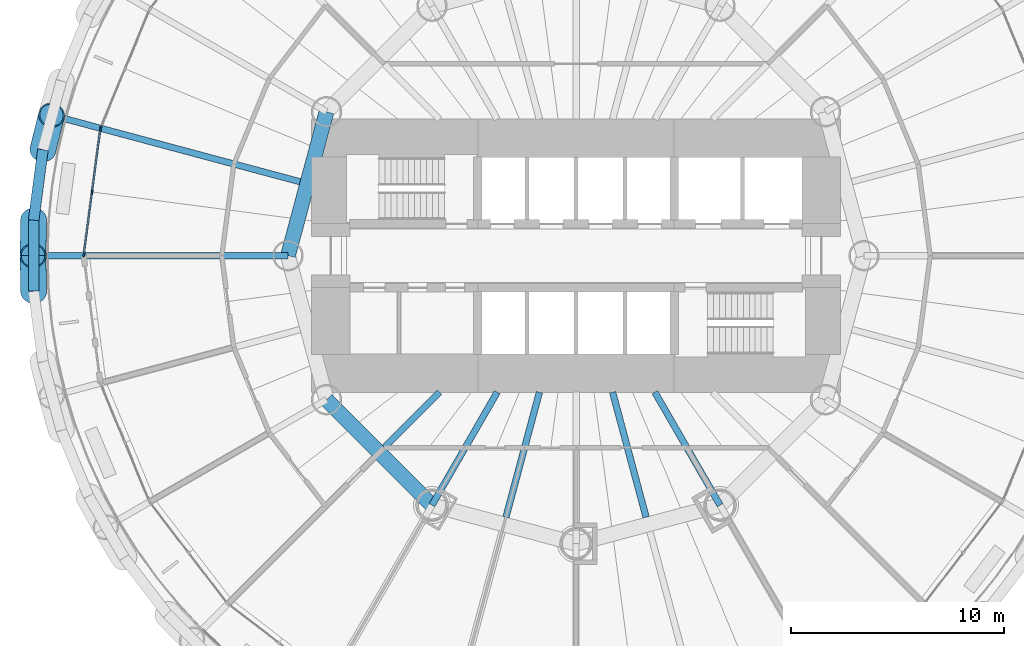
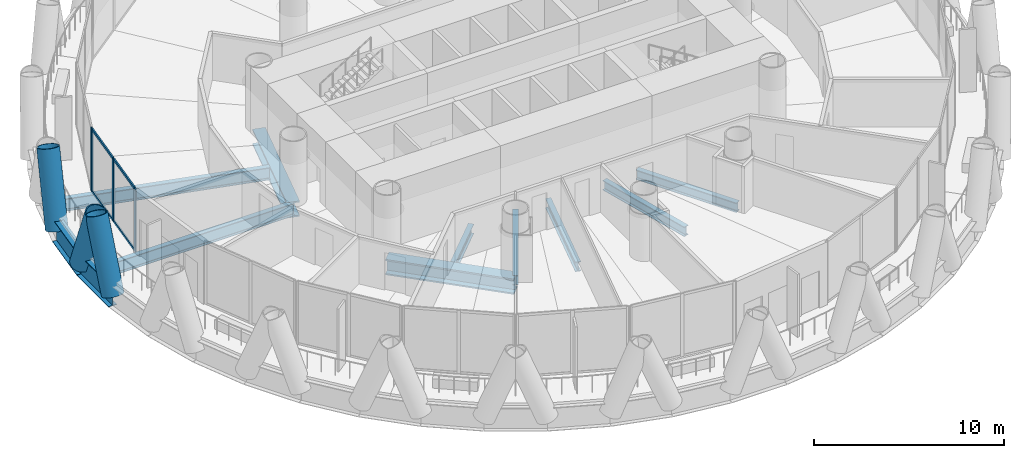
# One storey, part 3 of 16: 11 beams, 11 members, 2 elements without a shape of their own.
"""IFC4 building model written with IfcOpenShell, lengths in metres."""

from ifc_helpers import new_model, si_unit, direction, frame, origin, origin_2d, place, context, subcontext, project, spatial, rectangle, hollow_circle, i_section, extrude, material, material_profile, profile_set, type_object, element, aggregate, save


model = new_model("IFC4")

# Units and contexts
model_context = context("Model", 3, precision=1e-05, world=origin(), true_north=direction((0.0, 1.0)))
body_context = subcontext(model_context, "Body", "Model", "MODEL_VIEW")
ifc_project = project(units=[si_unit("LENGTHUNIT", "METRE"), si_unit("AREAUNIT", "SQUARE_METRE"), si_unit("VOLUMEUNIT", "CUBIC_METRE"), si_unit("PLANEANGLEUNIT", "RADIAN"), si_unit("MASSUNIT", "GRAM", prefix="KILO")], contexts=[model_context])

# Site, building, storey
site_placement = place(None, origin())
site = spatial("IfcSite", under=ifc_project, at=site_placement, CompositionType="ELEMENT")
building_placement = place(site_placement, origin())
building = spatial("IfcBuilding", under=site, at=building_placement, Name="Qaws Media Tower", CompositionType="ELEMENT")
storey_placement = place(building_placement, frame((0.0, 0.0, 89.0)))
storey = spatial("IfcBuildingStorey", under=building, at=storey_placement, Name="L19", CompositionType="ELEMENT", Elevation=89.0)

# Curtain wall, member
ifc_material_1 = material(Name="Aluminium and clear glass", Category="aluminium")
curtain_wall_type = type_object("IfcCurtainWallType", Name="Unitised curtain wall CW-A", PredefinedType="NOTDEFINED", material=ifc_material_1)
curtain_wall_1_placement = place(storey_placement, origin())
curtain_wall_1 = element("IfcCurtainWall", 1, at=curtain_wall_1_placement, inside=storey, type_object=curtain_wall_type, Name="CWA curtain wall L19-11", PredefinedType="NOTDEFINED")
ifc_material_2 = material(Name="Aluminium mullion", Category="aluminium")
ifc_material_profile_1 = material_profile(ifc_material_2, rectangle(XDim=0.080078125, YDim=0.199951171875, at=origin_2d()), Name="80x200")
ifc_profile_set_1 = profile_set([ifc_material_profile_1], Name="Aluminium mullion")
member_type_1 = type_object("IfcMemberType", Name="Curtain wall mullion 80x200", PredefinedType="MULLION", material=ifc_profile_set_1)
member_1_placement = place(storey_placement, frame((37.7265625, 56.00927734375, 0.0), z_axis=(0.0, 0.0, 1.0), x_axis=(0.923879558466, -0.382683369704, 0.0)))
member_1 = element("IfcMember", 2, at=member_1_placement, type_object=member_type_1, Name="CWA mullion 3", PredefinedType="MULLION", context=body_context, shape_type="SweptSolid", body=[
    extrude(rectangle(XDim=0.080078125, YDim=0.199951171875, at=origin_2d()), origin(), (0.0, 0.0, 1.0), 4.0400390625),
])
aggregate(curtain_wall_1, [member_1])

# Curtain wall, members
curtain_wall_2_placement = place(storey_placement, origin())
curtain_wall_2 = element("IfcCurtainWall", 3, at=curtain_wall_2_placement, inside=storey, type_object=curtain_wall_type, Name="CWA curtain wall L19-12", PredefinedType="NOTDEFINED")
member_2_placement = place(storey_placement, frame((37.7060546875, 55.9326171875, 0.0), z_axis=(0.0, 0.0, 1.0), x_axis=(0.991444850569, -0.130526274293, 0.0)))
member_2 = element("IfcMember", 4, at=member_2_placement, type_object=member_type_1, Name="CWA mullion 1", PredefinedType="MULLION", context=body_context, shape_type="SweptSolid", body=[
    extrude(rectangle(XDim=0.080078125, YDim=0.199951171875, at=origin_2d()), origin(), (0.0, 0.0, 1.0), 4.0400390625),
])
member_3_placement = place(storey_placement, frame((37.318115234375, 52.986083984375, 0.0), z_axis=(0.0, 0.0, 1.0), x_axis=(0.991444850569, -0.130526274293, 0.0)))
member_3 = element("IfcMember", 5, at=member_3_placement, type_object=member_type_1, Name="CWA mullion 2", PredefinedType="MULLION", context=body_context, shape_type="SweptSolid", body=[
    extrude(rectangle(XDim=0.080078125, YDim=0.199951171875, at=origin_2d()), origin(), (0.0, 0.0, 1.0), 4.0400390625),
])
member_4_placement = place(storey_placement, frame((36.93017578125, 50.03955078125, 0.0), z_axis=(0.0, 0.0, 1.0), x_axis=(0.991444850569, -0.130526274293, 0.0)))
member_4 = element("IfcMember", 6, at=member_4_placement, type_object=member_type_1, Name="CWA mullion 3", PredefinedType="MULLION", context=body_context, shape_type="SweptSolid", body=[
    extrude(rectangle(XDim=0.080078125, YDim=0.199951171875, at=origin_2d()), origin(), (0.0, 0.0, 1.0), 4.0400390625),
])
ifc_material_3 = material(Name="Aluminium transom", Category="aluminium")
ifc_material_profile_2 = material_profile(ifc_material_3, rectangle(XDim=0.080078125, YDim=0.159912109375, at=origin_2d()), Name="80x160")
ifc_profile_set_2 = profile_set([ifc_material_profile_2], Name="Aluminium transom")
member_type_2 = type_object("IfcMemberType", Name="Curtain wall transom 80x160", PredefinedType="USERDEFINED", material=ifc_profile_set_2)
member_5_placement = place(storey_placement, frame((37.700927734375, 55.892822265625, 0.0400390625), z_axis=(-0.130609572784, -0.991433880547, 0.0), x_axis=(0.991433880547, -0.130609572784, 0.0)))
member_5 = element("IfcMember", 7, at=member_5_placement, type_object=member_type_2, Name="CWA transom 1.1", ObjectType="TRANSOM", PredefinedType="USERDEFINED", context=body_context, shape_type="SweptSolid", body=[
    extrude(rectangle(XDim=0.080078125, YDim=0.159912109375, at=origin_2d()), origin(), (0.0, 0.0, 1.0), 2.8916015625),
])
member_6_placement = place(storey_placement, frame((37.700927734375, 55.892822265625, 4.0), z_axis=(-0.130609572784, -0.991433880547, 0.0), x_axis=(0.991433880547, -0.130609572784, 0.0)))
member_6 = element("IfcMember", 8, at=member_6_placement, type_object=member_type_2, Name="CWA transom 1.2", ObjectType="TRANSOM", PredefinedType="USERDEFINED", context=body_context, shape_type="SweptSolid", body=[
    extrude(rectangle(XDim=0.080078125, YDim=0.159912109375, at=origin_2d()), origin(), (0.0, 0.0, 1.0), 2.8916015625),
])
member_7_placement = place(storey_placement, frame((37.31298828125, 52.946533203125, 0.0400390625), z_axis=(-0.130515659015, -0.99144624804, 0.0), x_axis=(0.99144624804, -0.130515659015, 0.0)))
member_7 = element("IfcMember", 9, at=member_7_placement, type_object=member_type_2, Name="CWA transom 2.1", ObjectType="TRANSOM", PredefinedType="USERDEFINED", context=body_context, shape_type="SweptSolid", body=[
    extrude(rectangle(XDim=0.080078125, YDim=0.159912109375, at=origin_2d()), origin(), (0.0, 0.0, 1.0), 2.891845703125),
])
member_8_placement = place(storey_placement, frame((37.31298828125, 52.946533203125, 4.0), z_axis=(-0.130515659015, -0.99144624804, 0.0), x_axis=(0.99144624804, -0.130515659015, 0.0)))
member_8 = element("IfcMember", 10, at=member_8_placement, type_object=member_type_2, Name="CWA transom 2.2", ObjectType="TRANSOM", PredefinedType="USERDEFINED", context=body_context, shape_type="SweptSolid", body=[
    extrude(rectangle(XDim=0.080078125, YDim=0.159912109375, at=origin_2d()), origin(), (0.0, 0.0, 1.0), 2.891845703125),
])
aggregate(curtain_wall_2, [member_2, member_3, member_4, member_5, member_6, member_7, member_8])

# Members
ifc_material_4 = material(Name="Steel S460", Category="steel")
ifc_material_profile_3 = material_profile(ifc_material_4, hollow_circle(Radius=0.609619140625, WallThickness=0.06005859375, at=origin_2d()), Name="CHS 1219x60")
ifc_profile_set_3 = profile_set([ifc_material_profile_3], Name="Steel S460")
member_type_3 = type_object("IfcMemberType", Name="Diagrid member CHS 1219x60", PredefinedType="USERDEFINED", material=ifc_profile_set_3)
for number, where, z_axis, x_axis, name in (
    (11, (34.57958984375, 51.666259765625, -0.909912109375), (-0.006537785843, -0.368763540313, 0.929500246741), (0.999842879422, -0.017726152148, 0.0), "DG1 diagrid L19 A12"),
    (12, (35.014404296875, 54.969970703125, -0.909912109375), (0.089152749117, 0.357853731759, 0.929511965491), (-0.970340396506, 0.241742662575, 0.0), "DG1 diagrid L19 B12"),
    (13, (34.57958984375, 48.333740234375, -0.909912109375), (-0.006537785843, 0.368763540313, 0.929500246741), (-0.999842879422, -0.017726152148, 0.0), "DG1 diagrid L19 B13"),
):
    element("IfcMember", number, at=place(storey_placement, frame(where, z_axis=z_axis, x_axis=x_axis)), inside=storey, type_object=member_type_3, Name=name, ObjectType="DIAGRID", PredefinedType="USERDEFINED", context=body_context, shape_type="SweptSolid", body=[
        extrude(hollow_circle(Radius=0.609619140625, WallThickness=0.06005859375, at=origin_2d()), origin(), (0.0, 0.0, 1.0), 4.5185546875),
    ])

# Beams
ifc_material_5 = material(Name="Steel S460", Category="steel")
ifc_material_profile_4 = material_profile(ifc_material_5, i_section(OverallWidth=0.5, OverallDepth=1.5, WebThickness=0.02001953125, FlangeThickness=0.0400390625, at=origin_2d()), Name="PG 1500x500")
ifc_profile_set_4 = profile_set([ifc_material_profile_4], Name="Steel S460")
beam_type_1 = type_object("IfcBeamType", Name="Edge ring beam PG 1500x500", PredefinedType="BEAM", material=ifc_profile_set_4)
beam_1_placement = place(storey_placement, frame((35.014404296875, 54.969970703125, -0.909912109375), z_axis=(-0.130488627311, -0.991449806164, 0.0), x_axis=(0.991449806164, -0.130488627311, 0.0)))
element("IfcBeam", 14, at=beam_1_placement, inside=storey, type_object=beam_type_1, Name="RB4 edge ring beam L19-23", PredefinedType="BEAM", context=body_context, shape_type="SweptSolid", body=[
    extrude(i_section(OverallWidth=0.5, OverallDepth=1.5, WebThickness=0.02001953125, FlangeThickness=0.0400390625, at=origin_2d()), origin(), (0.0, 0.0, 1.0), 3.332275390625),
])
beam_2_placement = place(storey_placement, frame((34.57958984375, 51.666259765625, -0.909912109375), z_axis=(0.0, -1.0, 0.0), x_axis=(1.0, 0.0, 0.0)))
element("IfcBeam", 15, at=beam_2_placement, inside=storey, type_object=beam_type_1, Name="RB4 edge ring beam L19-24", PredefinedType="BEAM", context=body_context, shape_type="SweptSolid", body=[
    extrude(i_section(OverallWidth=0.5, OverallDepth=1.5, WebThickness=0.02001953125, FlangeThickness=0.0400390625, at=origin_2d()), origin(), (0.0, 0.0, 1.0), 3.33251953125),
])
ifc_material_6 = material(Name="Steel S460", Category="steel")
ifc_material_profile_5 = material_profile(ifc_material_6, i_section(OverallWidth=0.699951171875, OverallDepth=1.0, WebThickness=0.034912109375, FlangeThickness=0.090087890625, at=origin_2d()), Name="PG 1000x700")
ifc_profile_set_5 = profile_set([ifc_material_profile_5], Name="Steel S460")
beam_type_2 = type_object("IfcBeamType", Name="Inner ring girder PG 1000x700", PredefinedType="BEAM", material=ifc_profile_set_5)
beam_3_placement = place(storey_placement, frame((48.30859375, 56.75, -0.659912109375), z_axis=(-0.258810593767, -0.965928090778, 0.0), x_axis=(0.965928090778, -0.258810593767, 0.0)))
element("IfcBeam", 16, at=beam_3_placement, inside=storey, type_object=beam_type_2, Name="B3 inner ring beam L19 I06-I07", PredefinedType="BEAM", context=body_context, shape_type="SweptSolid", body=[
    extrude(i_section(OverallWidth=0.699951171875, OverallDepth=1.0, WebThickness=0.034912109375, FlangeThickness=0.090087890625, at=origin_2d()), origin(), (0.0, 0.0, 1.0), 6.988037109375),
])
beam_4_placement = place(storey_placement, frame((48.30859375, 43.25, -0.659912109375), z_axis=(0.707106781187, -0.707106781187, 0.0), x_axis=(0.707106781187, 0.707106781187, 0.0)))
element("IfcBeam", 17, at=beam_4_placement, inside=storey, type_object=beam_type_2, Name="B3 inner ring beam L19 I08-I09", PredefinedType="BEAM", context=body_context, shape_type="SweptSolid", body=[
    extrude(i_section(OverallWidth=0.699951171875, OverallDepth=1.0, WebThickness=0.034912109375, FlangeThickness=0.090087890625, at=origin_2d()), origin(), (0.0, 0.0, 1.0), 6.98828125),
])
ifc_material_7 = material(Name="Steel S355", Category="steel")
ifc_material_profile_6 = material_profile(ifc_material_7, i_section(OverallWidth=0.304931640625, OverallDepth=0.6201171875, WebThickness=0.02099609375, FlangeThickness=0.0400390625, FilletRadius=0.027099609375, at=origin_2d()), Name="HE 600 M")
ifc_profile_set_6 = profile_set([ifc_material_profile_6], Name="Steel S355")
beam_type_3 = type_object("IfcBeamType", Name="Radial beam HE 600 M, core side", PredefinedType="BEAM", material=ifc_profile_set_6)
beam_5_placement = place(storey_placement, frame((53.60009765625, 43.60009765625, -0.469970703125), z_axis=(-0.707106781187, -0.707106781187, 0.0), x_axis=(0.707106781187, -0.707106781187, 0.0)))
element("IfcBeam", 18, at=beam_5_placement, inside=storey, type_object=beam_type_3, Name="B2 radial beam L19 16", PredefinedType="BEAM", context=body_context, shape_type="SweptSolid", body=[
    extrude(i_section(OverallWidth=0.304931640625, OverallDepth=0.6201171875, WebThickness=0.02099609375, FlangeThickness=0.0400390625, FilletRadius=0.027099609375, at=origin_2d()), origin(), (0.0, 0.0, 1.0), 3.63916015625),
])
beam_6_placement = place(storey_placement, frame((56.304931640625, 43.60009765625, -0.469970703125), z_axis=(-0.49998532359, -0.866033877048, 0.0), x_axis=(0.866033877048, -0.49998532359, 0.0)))
element("IfcBeam", 19, at=beam_6_placement, inside=storey, type_object=beam_type_3, Name="B2 radial beam L19 17", PredefinedType="BEAM", context=body_context, shape_type="SweptSolid", body=[
    extrude(i_section(OverallWidth=0.304931640625, OverallDepth=0.6201171875, WebThickness=0.02099609375, FlangeThickness=0.0400390625, FilletRadius=0.027099609375, at=origin_2d()), origin(), (0.0, 0.0, 1.0), 6.110107421875),
])
for number, where, z_axis, x_axis, name in (
    (20, (58.28515625, 43.60009765625, -0.469970703125), (-0.258822614448, -0.965924869879, 0.0), (0.965924869879, -0.258822614448, 0.0), "B2 radial beam L19 18"),
    (21, (61.71484375, 43.60009765625, -0.469970703125), (0.258822614448, -0.965924869879, 0.0), (0.965924869879, 0.258822614448, 0.0), "B2 radial beam L19 20"),
):
    element("IfcBeam", number, at=place(storey_placement, frame(where, z_axis=z_axis, x_axis=x_axis)), inside=storey, type_object=beam_type_3, Name=name, PredefinedType="BEAM", context=body_context, shape_type="SweptSolid", body=[
        extrude(i_section(OverallWidth=0.304931640625, OverallDepth=0.6201171875, WebThickness=0.02099609375, FlangeThickness=0.0400390625, FilletRadius=0.027099609375, at=origin_2d()), origin(), (0.0, 0.0, 1.0), 6.064208984375),
    ])
beam_7_placement = place(storey_placement, frame((63.695068359375, 43.60009765625, -0.469970703125), z_axis=(0.49998532359, -0.866033877048, 0.0), x_axis=(0.866033877048, 0.49998532359, 0.0)))
element("IfcBeam", 22, at=beam_7_placement, inside=storey, type_object=beam_type_3, Name="B2 radial beam L19 21", PredefinedType="BEAM", context=body_context, shape_type="SweptSolid", body=[
    extrude(i_section(OverallWidth=0.304931640625, OverallDepth=0.6201171875, WebThickness=0.02099609375, FlangeThickness=0.0400390625, FilletRadius=0.027099609375, at=origin_2d()), origin(), (0.0, 0.0, 1.0), 6.110107421875),
])
ifc_material_8 = material(Name="Steel S355", Category="steel")
ifc_material_profile_7 = material_profile(ifc_material_8, i_section(OverallWidth=0.300048828125, OverallDepth=0.800048828125, WebThickness=0.017578125, FlangeThickness=0.032958984375, FilletRadius=0.030029296875, at=origin_2d()), Name="HE 800 B")
ifc_profile_set_7 = profile_set([ifc_material_profile_7], Name="Steel S355")
beam_type_4 = type_object("IfcBeamType", Name="Radial beam HE 800 B", PredefinedType="BEAM", material=ifc_profile_set_7)
beam_8_placement = place(storey_placement, frame((47.066162109375, 53.465576171875, -0.56005859375), z_axis=(-0.9659236838, 0.258827040847, 0.0), x_axis=(-0.258827040847, -0.9659236838, 0.0)))
element("IfcBeam", 23, at=beam_8_placement, inside=storey, type_object=beam_type_4, Name="B1 radial beam L19 12", PredefinedType="BEAM", context=body_context, shape_type="SweptSolid", body=[
    extrude(i_section(OverallWidth=0.300048828125, OverallDepth=0.800048828125, WebThickness=0.017578125, FlangeThickness=0.032958984375, FilletRadius=0.030029296875, at=origin_2d()), origin(), (0.0, 0.0, 1.0), 12.0302734375),
])
beam_9_placement = place(storey_placement, frame((46.5, 50.0, -0.56005859375), z_axis=(-1.0, 0.0, 0.0), x_axis=(0.0, -1.0, 0.0)))
element("IfcBeam", 24, at=beam_9_placement, inside=storey, type_object=beam_type_4, Name="B1 radial beam L19 13", PredefinedType="BEAM", context=body_context, shape_type="SweptSolid", body=[
    extrude(i_section(OverallWidth=0.300048828125, OverallDepth=0.800048828125, WebThickness=0.017578125, FlangeThickness=0.032958984375, FilletRadius=0.030029296875, at=origin_2d()), origin(), (0.0, 0.0, 1.0), 11.92041015625),
])

save(model, "model.ifc")
